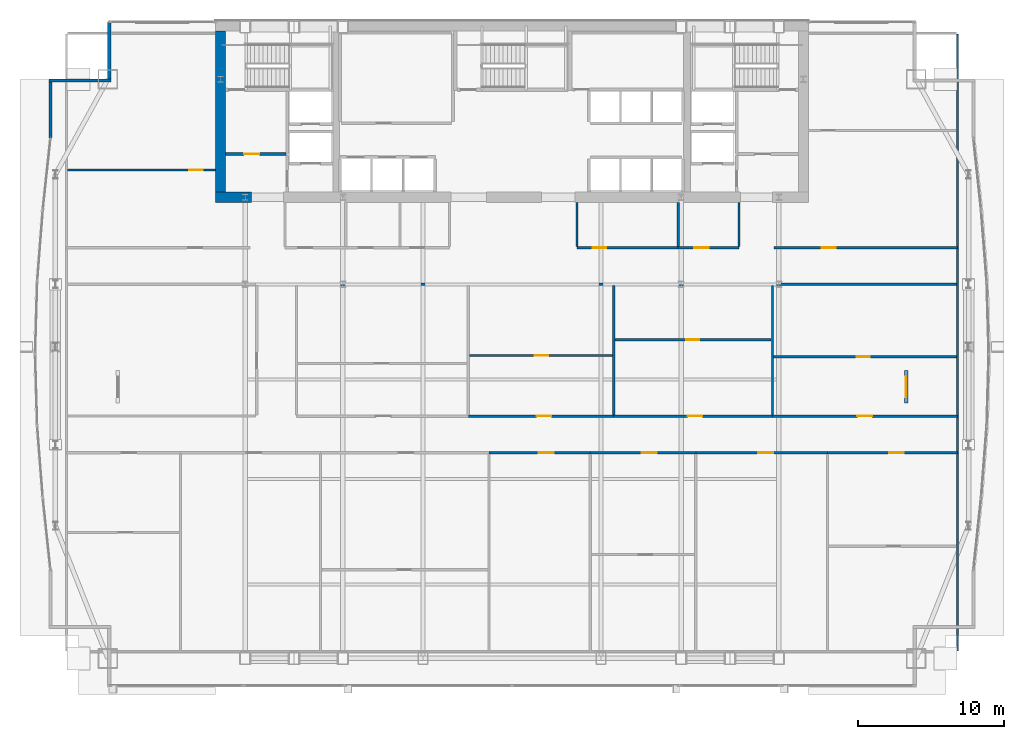
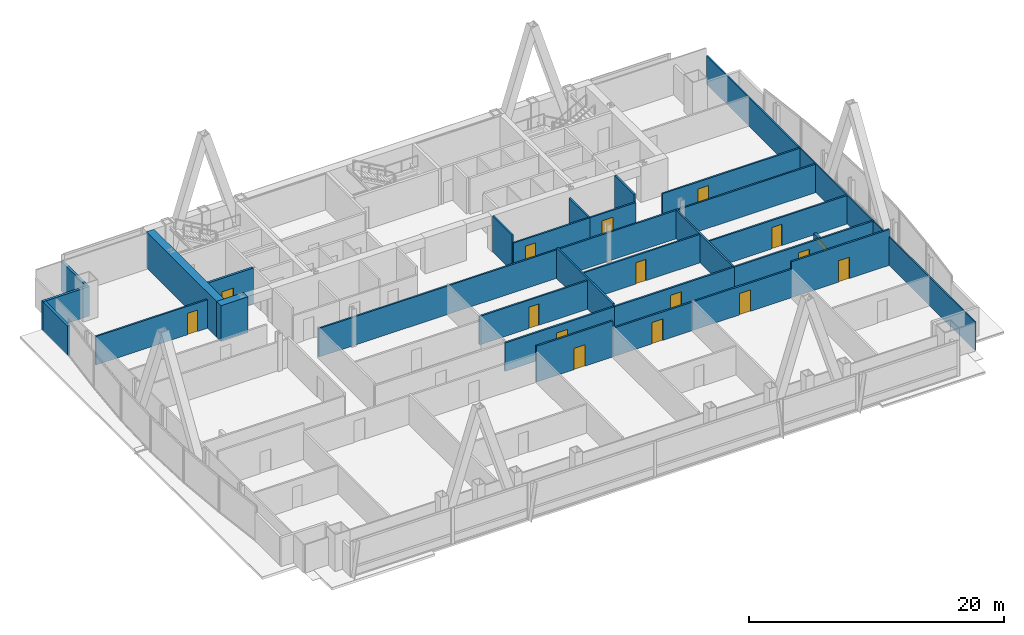
# One storey, part 26 of 30: 28 walls, 15 doors, 1 window, 16 openings.
"""IFC4 building model written with IfcOpenShell, lengths in metres."""

from ifc_helpers import new_model, si_unit, direction, frame, frame_2d, origin, place, context, subcontext, project, spatial, rectangle, extrude, material, layer, layer_set, type_object, element, fill, save


model = new_model("IFC4")

# Units and contexts
model_context = context("Model", 3, precision=1e-05, world=origin(), true_north=direction((0.0, 1.0)))
body_context = subcontext(model_context, "Body", "Model", "MODEL_VIEW")
ifc_project = project(units=[si_unit("LENGTHUNIT", "METRE"), si_unit("AREAUNIT", "SQUARE_METRE"), si_unit("VOLUMEUNIT", "CUBIC_METRE"), si_unit("PLANEANGLEUNIT", "RADIAN"), si_unit("MASSUNIT", "GRAM", prefix="KILO")], contexts=[model_context])

# Site, building, storey
site_placement = place(None, origin())
site = spatial("IfcSite", under=ifc_project, at=site_placement, CompositionType="ELEMENT")
building_placement = place(site_placement, origin())
building = spatial("IfcBuilding", under=site, at=building_placement, Name="Khoronbel Lancet Exchange", CompositionType="ELEMENT")
storey_placement = place(building_placement, frame((0.0, 0.0, 136.199951171875)))
storey = spatial("IfcBuildingStorey", under=building, at=storey_placement, Name="L33", CompositionType="ELEMENT", Elevation=136.199951171875)

# Walls
ifc_material_1 = material(Name="Concrete C80/95", Category="concrete")
ifc_layer_1 = layer(ifc_material_1, 0.699951171875, Name="Concrete C80/95")
ifc_layer_set_1 = layer_set([ifc_layer_1], Name="Concrete C80/95")
wall_type_1 = type_object("IfcWallType", Name="WL-CW2", PredefinedType="SHEAR", material=ifc_layer_set_1)
wall_1_placement = place(storey_placement, frame((16.550048828125, 42.0, 0.0), z_axis=(0.0, 0.0, 1.0), x_axis=(0.0, 1.0, 0.0)))
element("IfcWall", 1, at=wall_1_placement, inside=storey, type_object=wall_type_1, Name="Level L33 rear core west shear wall", PredefinedType="SHEAR", context=body_context, shape_type="SweptSolid", body=[
    extrude(rectangle(XDim=11.0, YDim=0.699951171875, at=frame_2d((5.5, 0.0))), origin(), (0.0, 0.0, 1.0), 3.43994140625),
])
wall_2_placement = place(storey_placement, frame((18.64990234375, 41.64990234375, 0.0), z_axis=(0.0, 0.0, 1.0), x_axis=(-1.0, 0.0, 0.0)))
element("IfcWall", 2, at=wall_2_placement, inside=storey, type_object=wall_type_1, Name="Level L33 rear core south shear wall pier P1", PredefinedType="SHEAR", context=body_context, shape_type="SweptSolid", body=[
    extrude(rectangle(XDim=2.449951171875, YDim=0.699951171875, at=frame_2d((1.22509765625, 0.0))), origin(), (0.0, 0.0, 1.0), 3.43994140625),
])
ifc_material_2 = material(Name="Precast concrete C40/50", Category="concrete")
ifc_layer_2 = layer(ifc_material_2, 0.25, Name="Precast concrete C40/50")
ifc_layer_set_2 = layer_set([ifc_layer_2], Name="Precast concrete C40/50")
wall_type_2 = type_object("IfcWallType", Name="WL-EXT250", PredefinedType="SOLIDWALL", material=ifc_layer_set_2)
wall_3_placement = place(storey_placement, frame((4.93994140625, 45.67529296875, 0.0), z_axis=(0.0, 0.0, 1.0), x_axis=(0.0, 1.0, 0.0)))
element("IfcWall", 3, at=wall_3_placement, inside=storey, type_object=wall_type_2, Name="Level L33 notched-corner limestone pier 10", PredefinedType="SOLIDWALL", context=body_context, shape_type="SweptSolid", body=[
    extrude(rectangle(XDim=3.82470703125, YDim=0.219970703125, at=frame_2d((1.912353515625, 0.0))), origin(), (0.0, 0.0, 1.0), 2.830078125),
])
wall_4_placement = place(storey_placement, frame((4.830078125, 49.610107421875, 0.0), z_axis=(0.0, 0.0, 1.0), x_axis=(1.0, 0.0, 0.0)))
element("IfcWall", 4, at=wall_4_placement, inside=storey, type_object=wall_type_2, Name="Level L33 notched-corner limestone pier 11", PredefinedType="SOLIDWALL", context=body_context, shape_type="SweptSolid", body=[
    extrude(rectangle(XDim=4.219970703125, YDim=0.219970703125, at=frame_2d((2.10986328125, 0.0))), origin(), (0.0, 0.0, 1.0), 2.830078125),
])
wall_5_placement = place(storey_placement, frame((8.93994140625, 49.719970703125, 0.0), z_axis=(0.0, 0.0, 1.0), x_axis=(0.0, 1.0, 0.0)))
element("IfcWall", 5, at=wall_5_placement, inside=storey, type_object=wall_type_2, Name="Level L33 notched-corner limestone pier 12", PredefinedType="SOLIDWALL", context=body_context, shape_type="SweptSolid", body=[
    extrude(rectangle(XDim=3.909912109375, YDim=0.219970703125, at=frame_2d((1.955078125, 0.0))), origin(), (0.0, 0.0, 1.0), 2.830078125),
])

# Wall, opening, window
ifc_material_3 = material(Name="Concrete C40/50", Category="concrete")
ifc_layer_3 = layer(ifc_material_3, 0.25, Name="Concrete C40/50")
ifc_layer_set_3 = layer_set([ifc_layer_3], Name="Concrete C40/50")
wall_type_3 = type_object("IfcWallType", Name="WL-PAR250", PredefinedType="PARAPET", material=ifc_layer_set_3)
wall_6_placement = place(storey_placement, frame((63.375, 27.60009765625, 0.0), z_axis=(0.0, 0.0, 1.0), x_axis=(0.0, 1.0, 0.0)))
wall_6 = element("IfcWall", 6, at=wall_6_placement, inside=storey, type_object=wall_type_3, Name="Level L33 setback roof slab 2 smoke-ventilation skylight lantern curb", PredefinedType="PARAPET", context=body_context, shape_type="SweptSolid", body=[
    extrude(rectangle(XDim=2.199951171875, YDim=0.25, at=frame_2d((1.10009765625, 0.0))), origin(), (0.0, 0.0, 1.0), 0.880126953125),
])
opening_1_placement = place(wall_6_placement, frame((0.39990234375, 0.0, 0.159912109375)))
opening_1 = element("IfcOpeningElement", 7, at=opening_1_placement, cuts=wall_6, Name="Opening SK2", PredefinedType="OPENING", context=body_context, shape_type="SweptSolid", body=[
    extrude(rectangle(XDim=1.39990234375, YDim=0.5, at=frame_2d((0.699951171875, 0.25))), frame((0.0, 0.135009765625, 0.0), z_axis=(0.0, -1.0, 0.0), x_axis=(1.0, 0.0, 0.0)), (0.0, 0.0, 1.0), 0.27001953125),
])
ifc_material_4 = material(Name="Low-E Solar Control Insulating Glass", Category="glass")
window_type = type_object("IfcWindowType", Name="WIN-SK2", PartitioningType="SINGLE_PANEL", PredefinedType="SKYLIGHT", material=ifc_material_4)
window_placement = place(opening_1_placement, origin())
window = element("IfcWindow", 8, at=window_placement, inside=storey, type_object=window_type, Name="Level L33 setback roof slab 2 smoke-ventilation clerestory skylight", OverallHeight=0.5, OverallWidth=1.39990234375, PartitioningType="SINGLE_PANEL", PredefinedType="SKYLIGHT", context=body_context, shape_type="SweptSolid", body=[
    extrude(rectangle(XDim=1.39990234375, YDim=0.5, at=frame_2d((0.699951171875, 0.25))), frame((0.0, 0.030029296875, 0.0), z_axis=(0.0, -1.0, 0.0), x_axis=(1.0, 0.0, 0.0)), (0.0, 0.0, 1.0), 0.06005859375),
])
fill(opening_1, window)

# Walls
ifc_material_5 = material(Name="Acoustic Metal-Stud & Mineral-Wool Gypsum Partition 120 mm", Category="gypsum")
ifc_layer_4 = layer(ifc_material_5, 0.1201171875, Name="Acoustic Metal-Stud & Mineral-Wool Gypsum Partition 120 mm")
ifc_layer_set_4 = layer_set([ifc_layer_4], Name="Acoustic Metal-Stud & Mineral-Wool Gypsum Partition 120 mm")
wall_type_4 = type_object("IfcWallType", Name="WL-PRT120", PredefinedType="PARTITIONING", material=ifc_layer_set_4)
wall_7_placement = place(storey_placement, frame((40.8798828125, 38.280029296875, 0.0), z_axis=(0.0, 0.0, 1.0), x_axis=(0.0, 1.0, 0.0)))
element("IfcWall", 9, at=wall_7_placement, inside=storey, type_object=wall_type_4, Name="Level L33 interior partition PW-NP-0", PredefinedType="PARTITIONING", context=body_context, shape_type="SweptSolid", body=[
    extrude(rectangle(XDim=3.02001953125, YDim=0.14990234375, at=frame_2d((1.510009765625, 0.0))), origin(), (0.0, 0.0, 1.0), 3.43994140625),
])
wall_8_placement = place(storey_placement, frame((47.800048828125, 38.280029296875, 0.0), z_axis=(0.0, 0.0, 1.0), x_axis=(0.0, 1.0, 0.0)))
element("IfcWall", 10, at=wall_8_placement, inside=storey, type_object=wall_type_4, Name="Level L33 interior partition PW-NP-M", PredefinedType="PARTITIONING", context=body_context, shape_type="SweptSolid", body=[
    extrude(rectangle(XDim=3.02001953125, YDim=0.14990234375, at=frame_2d((1.510009765625, 0.0))), origin(), (0.0, 0.0, 1.0), 2.72998046875),
])
wall_9_placement = place(storey_placement, frame((51.949951171875, 38.280029296875, 0.0), z_axis=(0.0, 0.0, 1.0), x_axis=(0.0, 1.0, 0.0)))
element("IfcWall", 11, at=wall_9_placement, inside=storey, type_object=wall_type_4, Name="Level L33 interior partition PW-NP-1", PredefinedType="PARTITIONING", context=body_context, shape_type="SweptSolid", body=[
    extrude(rectangle(XDim=3.02001953125, YDim=0.14990234375, at=frame_2d((1.510009765625, 0.0))), origin(), (0.0, 0.0, 1.0), 3.43994140625),
])

# Wall, opening, door
wall_10_placement = place(storey_placement, frame((6.094970703125, 43.5, 0.0), z_axis=(0.0, 0.0, 1.0), x_axis=(1.0, 0.0, 0.0)))
wall_10 = element("IfcWall", 12, at=wall_10_placement, inside=storey, type_object=wall_type_4, Name="Level L33 interior partition PW-NW-H", PredefinedType="PARTITIONING", context=body_context, shape_type="SweptSolid", body=[
    extrude(rectangle(XDim=10.10498046875, YDim=0.14990234375, at=frame_2d((5.052490234375, 0.0))), origin(), (0.0, 0.0, 1.0), 2.72998046875),
])
opening_2_placement = place(wall_10_placement, frame((8.320068359375, 0.0, 0.0)))
opening_2 = element("IfcOpeningElement", 13, at=opening_2_placement, cuts=wall_10, Name="Opening D5", PredefinedType="OPENING", context=body_context, shape_type="SweptSolid", body=[
    extrude(rectangle(XDim=0.89990234375, YDim=2.050048828125, at=frame_2d((0.449951171875, 1.02490234375))), frame((0.0, 0.0849609375, 0.0), z_axis=(0.0, -1.0, 0.0), x_axis=(1.0, 0.0, 0.0)), (0.0, 0.0, 1.0), 0.169921875),
])
ifc_material_6 = material(Name="Acoustic Timber Pantry & Support Door", Category="wood")
door_type_1 = type_object("IfcDoorType", Name="DR-D5", OperationType="NOTDEFINED", PredefinedType="DOOR", material=ifc_material_6)
door_1_placement = place(opening_2_placement, origin())
door_1 = element("IfcDoor", 14, at=door_1_placement, inside=storey, type_object=door_type_1, Name="NW north room door L33-1", OperationType="SINGLE_SWING_RIGHT", OverallHeight=2.050048828125, OverallWidth=0.89990234375, PredefinedType="DOOR", context=body_context, shape_type="SweptSolid", body=[
    extrude(rectangle(XDim=0.89990234375, YDim=2.050048828125, at=frame_2d((0.449951171875, 1.02490234375))), frame((0.0, 0.02490234375, 0.0), z_axis=(0.0, -1.0, 0.0), x_axis=(1.0, 0.0, 0.0)), (0.0, 0.0, 1.0), 0.050048828125),
])
fill(opening_2, door_1)

wall_11_placement = place(storey_placement, frame((33.54638671875, 30.840087890625, 0.0), z_axis=(0.0, 0.0, 1.0), x_axis=(1.0, 0.0, 0.0)))
wall_11 = element("IfcWall", 15, at=wall_11_placement, inside=storey, type_object=wall_type_4, Name="Level L33 interior partition PW-Z2N-H2", PredefinedType="PARTITIONING", context=body_context, shape_type="SweptSolid", body=[
    extrude(rectangle(XDim=9.770751953125, YDim=0.14990234375, at=frame_2d((4.88525390625, 0.0))), origin(), (0.0, 0.0, 1.0), 2.72998046875),
])
opening_3_placement = place(wall_11_placement, frame((4.468994140625, 0.0, 0.0)))
opening_3 = element("IfcOpeningElement", 16, at=opening_3_placement, cuts=wall_11, Name="Opening D5", PredefinedType="OPENING", context=body_context, shape_type="SweptSolid", body=[
    extrude(rectangle(XDim=0.89990234375, YDim=2.050048828125, at=frame_2d((0.449951171875, 1.02490234375))), frame((0.0, 0.0849609375, 0.0), z_axis=(0.0, -1.0, 0.0), x_axis=(1.0, 0.0, 0.0)), (0.0, 0.0, 1.0), 0.169921875),
])
door_2_placement = place(opening_3_placement, origin())
door_2 = element("IfcDoor", 17, at=door_2_placement, inside=storey, type_object=door_type_1, Name="Z2N inner door 2 L33-1", OperationType="SINGLE_SWING_LEFT", OverallHeight=2.050048828125, OverallWidth=0.89990234375, PredefinedType="DOOR", context=body_context, shape_type="SweptSolid", body=[
    extrude(rectangle(XDim=0.89990234375, YDim=2.050048828125, at=frame_2d((0.449951171875, 1.02490234375))), frame((0.0, 0.02490234375, 0.0), z_axis=(0.0, -1.0, 0.0), x_axis=(1.0, 0.0, 0.0)), (0.0, 0.0, 1.0), 0.050048828125),
])
fill(opening_3, door_2)

wall_12_placement = place(storey_placement, frame((43.477294921875, 31.919921875, 0.0), z_axis=(0.0, 0.0, 1.0), x_axis=(1.0, 0.0, 0.0)))
wall_12 = element("IfcWall", 18, at=wall_12_placement, inside=storey, type_object=wall_type_4, Name="Level L33 interior partition PW-Z2N-H3", PredefinedType="PARTITIONING", context=body_context, shape_type="SweptSolid", body=[
    extrude(rectangle(XDim=10.673583984375, YDim=0.14990234375, at=frame_2d((5.3369140625, 0.0))), origin(), (0.0, 0.0, 1.0), 2.72998046875),
])
opening_4_placement = place(wall_12_placement, frame((4.875, 0.0, 0.0)))
opening_4 = element("IfcOpeningElement", 19, at=opening_4_placement, cuts=wall_12, Name="Opening D5", PredefinedType="OPENING", context=body_context, shape_type="SweptSolid", body=[
    extrude(rectangle(XDim=0.89990234375, YDim=2.050048828125, at=frame_2d((0.449951171875, 1.02490234375))), frame((0.0, 0.0849609375, 0.0), z_axis=(0.0, -1.0, 0.0), x_axis=(1.0, 0.0, 0.0)), (0.0, 0.0, 1.0), 0.169921875),
])
door_3_placement = place(opening_4_placement, origin())
door_3 = element("IfcDoor", 20, at=door_3_placement, inside=storey, type_object=door_type_1, Name="Z2N inner door 3 L33-1", OperationType="SINGLE_SWING_LEFT", OverallHeight=2.050048828125, OverallWidth=0.89990234375, PredefinedType="DOOR", context=body_context, shape_type="SweptSolid", body=[
    extrude(rectangle(XDim=0.89990234375, YDim=2.050048828125, at=frame_2d((0.449951171875, 1.02490234375))), frame((0.0, 0.02490234375, 0.0), z_axis=(0.0, -1.0, 0.0), x_axis=(1.0, 0.0, 0.0)), (0.0, 0.0, 1.0), 0.050048828125),
])
fill(opening_4, door_3)

wall_13_placement = place(storey_placement, frame((54.310791015625, 30.75, 0.0), z_axis=(0.0, 0.0, 1.0), x_axis=(1.0, 0.0, 0.0)))
wall_13 = element("IfcWall", 21, at=wall_13_placement, inside=storey, type_object=wall_type_4, Name="Level L33 interior partition PW-Z2N-H4", PredefinedType="PARTITIONING", context=body_context, shape_type="SweptSolid", body=[
    extrude(rectangle(XDim=12.494140625, YDim=0.14990234375, at=frame_2d((6.2470703125, 0.0))), origin(), (0.0, 0.0, 1.0), 2.72998046875),
])
opening_5_placement = place(wall_13_placement, frame((5.6875, 0.0, 0.0)))
opening_5 = element("IfcOpeningElement", 22, at=opening_5_placement, cuts=wall_13, Name="Opening D5", PredefinedType="OPENING", context=body_context, shape_type="SweptSolid", body=[
    extrude(rectangle(XDim=0.89990234375, YDim=2.050048828125, at=frame_2d((0.449951171875, 1.02490234375))), frame((0.0, 0.0849609375, 0.0), z_axis=(0.0, -1.0, 0.0), x_axis=(1.0, 0.0, 0.0)), (0.0, 0.0, 1.0), 0.169921875),
])
door_4_placement = place(opening_5_placement, origin())
door_4 = element("IfcDoor", 23, at=door_4_placement, inside=storey, type_object=door_type_1, Name="Z2N inner door 4 L33-1", OperationType="SINGLE_SWING_LEFT", OverallHeight=2.050048828125, OverallWidth=0.89990234375, PredefinedType="DOOR", context=body_context, shape_type="SweptSolid", body=[
    extrude(rectangle(XDim=0.89990234375, YDim=2.050048828125, at=frame_2d((0.449951171875, 1.02490234375))), frame((0.0, 0.02490234375, 0.0), z_axis=(0.0, -1.0, 0.0), x_axis=(1.0, 0.0, 0.0)), (0.0, 0.0, 1.0), 0.050048828125),
])
fill(opening_5, door_4)

# Wall
wall_14_placement = place(storey_placement, frame((66.8701171875, 10.6650390625, 0.0), z_axis=(0.0, 0.0, 1.0), x_axis=(0.0, 1.0, 0.0)))
element("IfcWall", 24, at=wall_14_placement, inside=storey, type_object=wall_type_4, Name="Level L33 interior partition PW-LIN-E", PredefinedType="PARTITIONING", context=body_context, shape_type="SweptSolid", body=[
    extrude(rectangle(XDim=42.10986328125, YDim=0.1201171875, at=frame_2d((21.054931640625, 0.0))), origin(), (0.0, 0.0, 1.0), 2.72998046875),
])

# Wall, opening, door
ifc_material_7 = material(Name="Fire-Rated Twin-Stud Acoustic Gypsum Partition 150 mm", Category="gypsum")
ifc_layer_5 = layer(ifc_material_7, 0.14990234375, Name="Fire-Rated Twin-Stud Acoustic Gypsum Partition 150 mm")
ifc_layer_set_5 = layer_set([ifc_layer_5], Name="Fire-Rated Twin-Stud Acoustic Gypsum Partition 150 mm")
wall_type_5 = type_object("IfcWallType", Name="WL-PRT150C", PredefinedType="PARTITIONING", material=ifc_layer_set_5)
wall_15_placement = place(storey_placement, frame((40.8798828125, 38.199951171875, 0.0), z_axis=(0.0, 0.0, 1.0), x_axis=(1.0, 0.0, 0.0)))
wall_15 = element("IfcWall", 25, at=wall_15_placement, inside=storey, type_object=wall_type_5, Name="Level L33 interior partition PW-NP-S1", PredefinedType="PARTITIONING", context=body_context, shape_type="SweptSolid", body=[
    extrude(rectangle(XDim=6.920166015625, YDim=0.14990234375, at=frame_2d((3.4599609375, 0.0))), origin(), (0.0, 0.0, 1.0), 2.72998046875),
])
opening_6_placement = place(wall_15_placement, frame((1.10009765625, 0.0, 0.0)))
opening_6 = element("IfcOpeningElement", 26, at=opening_6_placement, cuts=wall_15, Name="Opening D5", PredefinedType="OPENING", context=body_context, shape_type="SweptSolid", body=[
    extrude(rectangle(XDim=0.89990234375, YDim=2.050048828125, at=frame_2d((0.449951171875, 1.02490234375))), frame((0.0, 0.0849609375, 0.0), z_axis=(0.0, -1.0, 0.0), x_axis=(1.0, 0.0, 0.0)), (0.0, 0.0, 1.0), 0.169921875),
])
door_5_placement = place(opening_6_placement, origin())
door_5 = element("IfcDoor", 27, at=door_5_placement, inside=storey, type_object=door_type_1, Name="Floor refreshment pantry door L33-1", OperationType="SINGLE_SWING_RIGHT", OverallHeight=2.050048828125, OverallWidth=0.89990234375, PredefinedType="DOOR", context=body_context, shape_type="SweptSolid", body=[
    extrude(rectangle(XDim=0.89990234375, YDim=2.050048828125, at=frame_2d((0.449951171875, 1.02490234375))), frame((0.0, 0.02490234375, 0.0), z_axis=(0.0, -1.0, 0.0), x_axis=(1.0, 0.0, 0.0)), (0.0, 0.0, 1.0), 0.050048828125),
])
fill(opening_6, door_5)

wall_16_placement = place(storey_placement, frame((47.800048828125, 38.199951171875, 0.0), z_axis=(0.0, 0.0, 1.0), x_axis=(1.0, 0.0, 0.0)))
wall_16 = element("IfcWall", 28, at=wall_16_placement, inside=storey, type_object=wall_type_5, Name="Level L33 interior partition PW-NP-S2", PredefinedType="PARTITIONING", context=body_context, shape_type="SweptSolid", body=[
    extrude(rectangle(XDim=4.14990234375, YDim=0.14990234375, at=frame_2d((2.074951171875, 0.0))), origin(), (0.0, 0.0, 1.0), 2.72998046875),
])
opening_7_placement = place(wall_16_placement, frame((1.10009765625, 0.0, 0.0)))
opening_7 = element("IfcOpeningElement", 29, at=opening_7_placement, cuts=wall_16, Name="Opening D2", PredefinedType="OPENING", context=body_context, shape_type="SweptSolid", body=[
    extrude(rectangle(XDim=1.0, YDim=2.050048828125, at=frame_2d((0.5, 1.02490234375))), frame((0.0, 0.0849609375, 0.0), z_axis=(0.0, -1.0, 0.0), x_axis=(1.0, 0.0, 0.0)), (0.0, 0.0, 1.0), 0.169921875),
])
ifc_material_8 = material(Name="Acoustic Veneered Timber & Bronze Frame Door", Category="wood")
door_type_2 = type_object("IfcDoorType", Name="DR-D2", OperationType="NOTDEFINED", PredefinedType="DOOR", material=ifc_material_8)
door_6_placement = place(opening_7_placement, origin())
door_6 = element("IfcDoor", 30, at=door_6_placement, inside=storey, type_object=door_type_2, Name="Floor store door L33-1", OperationType="SINGLE_SWING_LEFT", OverallHeight=2.050048828125, OverallWidth=1.0, PredefinedType="DOOR", context=body_context, shape_type="SweptSolid", body=[
    extrude(rectangle(XDim=1.0, YDim=2.050048828125, at=frame_2d((0.5, 1.02490234375))), frame((0.0, 0.02490234375, 0.0), z_axis=(0.0, -1.0, 0.0), x_axis=(1.0, 0.0, 0.0)), (0.0, 0.0, 1.0), 0.050048828125),
])
fill(opening_7, door_6)

wall_17_placement = place(storey_placement, frame((54.35009765625, 38.199951171875, 0.0), z_axis=(0.0, 0.0, 1.0), x_axis=(1.0, 0.0, 0.0)))
wall_17 = element("IfcWall", 31, at=wall_17_placement, inside=storey, type_object=wall_type_5, Name="Level L33 interior partition PW-NE-S", PredefinedType="PARTITIONING", context=body_context, shape_type="SweptSolid", body=[
    extrude(rectangle(XDim=12.52001953125, YDim=0.14990234375, at=frame_2d((6.260009765625, 0.0))), origin(), (0.0, 0.0, 1.0), 2.72998046875),
])
opening_8_placement = place(wall_17_placement, frame((3.25, 0.0, 0.0)))
opening_8 = element("IfcOpeningElement", 32, at=opening_8_placement, cuts=wall_17, Name="Opening D1", PredefinedType="OPENING", context=body_context, shape_type="SweptSolid", body=[
    extrude(rectangle(XDim=0.949951171875, YDim=2.050048828125, at=frame_2d((0.47509765625, 1.02490234375))), frame((0.0, 0.0849609375, 0.0), z_axis=(0.0, -1.0, 0.0), x_axis=(1.0, 0.0, 0.0)), (0.0, 0.0, 1.0), 0.169921875),
])
door_type_3 = type_object("IfcDoorType", Name="DR-D1", OperationType="NOTDEFINED", PredefinedType="DOOR", material=ifc_material_8)
door_7_placement = place(opening_8_placement, origin())
door_7 = element("IfcDoor", 33, at=door_7_placement, inside=storey, type_object=door_type_3, Name="NE corner room door L33-1", OperationType="SINGLE_SWING_LEFT", OverallHeight=2.050048828125, OverallWidth=0.949951171875, PredefinedType="DOOR", context=body_context, shape_type="SweptSolid", body=[
    extrude(rectangle(XDim=0.949951171875, YDim=2.050048828125, at=frame_2d((0.47509765625, 1.02490234375))), frame((0.0, 0.02490234375, 0.0), z_axis=(0.0, -1.0, 0.0), x_axis=(1.0, 0.0, 0.0)), (0.0, 0.0, 1.0), 0.050048828125),
])
fill(opening_8, door_7)

# Walls
wall_18_placement = place(storey_placement, frame((21.81005859375, 35.699951171875, 0.0), z_axis=(0.0, 0.0, 1.0), x_axis=(1.0, 0.0, 0.0)))
element("IfcWall", 34, at=wall_18_placement, inside=storey, type_object=wall_type_5, Name="Level L33 interior partition PW-Z2-EN", PredefinedType="PARTITIONING", context=body_context, shape_type="SweptSolid", body=[
    extrude(rectangle(XDim=44.994873046875, YDim=0.14990234375, at=frame_2d((22.49755859375, 0.0))), origin(), (0.0, 0.0, 1.0), 2.72998046875),
])
wall_19_placement = place(storey_placement, frame((43.397216796875, 26.784912109375, 0.0), z_axis=(0.0, 0.0, 1.0), x_axis=(0.0, 1.0, 0.0)))
element("IfcWall", 35, at=wall_19_placement, inside=storey, type_object=wall_type_5, Name="Level L33 interior partition PW-Z2N-V2", PredefinedType="PARTITIONING", context=body_context, shape_type="SweptSolid", body=[
    extrude(rectangle(XDim=8.835205078125, YDim=0.14990234375, at=frame_2d((4.41748046875, 0.0))), origin(), (0.0, 0.0, 1.0), 2.929931640625),
])
wall_20_placement = place(storey_placement, frame((54.230712890625, 26.784912109375, 0.0), z_axis=(0.0, 0.0, 1.0), x_axis=(0.0, 1.0, 0.0)))
element("IfcWall", 36, at=wall_20_placement, inside=storey, type_object=wall_type_5, Name="Level L33 interior partition PW-Z2N-V3", PredefinedType="PARTITIONING", context=body_context, shape_type="SweptSolid", body=[
    extrude(rectangle(XDim=8.835205078125, YDim=0.14990234375, at=frame_2d((4.41748046875, 0.0))), origin(), (0.0, 0.0, 1.0), 2.72998046875),
])

# Wall, opening, door
ifc_material_9 = material(Name="Fire-Rated Twin-Stud Acoustic Gypsum Partition 160 mm", Category="gypsum")
ifc_layer_6 = layer(ifc_material_9, 0.159912109375, Name="Fire-Rated Twin-Stud Acoustic Gypsum Partition 160 mm")
ifc_layer_set_6 = layer_set([ifc_layer_6], Name="Fire-Rated Twin-Stud Acoustic Gypsum Partition 160 mm")
wall_type_6 = type_object("IfcWallType", Name="WL-PRT160C", PredefinedType="PARTITIONING", material=ifc_layer_set_6)
wall_21_placement = place(storey_placement, frame((34.88623046875, 24.199951171875, 0.0), z_axis=(0.0, 0.0, 1.0), x_axis=(1.0, 0.0, 0.0)))
wall_21 = element("IfcWall", 37, at=wall_21_placement, inside=storey, type_object=wall_type_6, Name="Level L33 interior partition PW-Z2S-COR4", PredefinedType="PARTITIONING", context=body_context, shape_type="SweptSolid", body=[
    extrude(rectangle(XDim=6.90234375, YDim=0.159912109375, at=frame_2d((3.451171875, 0.0))), origin(), (0.0, 0.0, 1.0), 3.43994140625),
])
opening_9_placement = place(wall_21_placement, frame((3.39892578125, 0.0, 0.0)))
opening_9 = element("IfcOpeningElement", 38, at=opening_9_placement, cuts=wall_21, Name="Opening D2", PredefinedType="OPENING", context=body_context, shape_type="SweptSolid", body=[
    extrude(rectangle(XDim=1.0, YDim=2.050048828125, at=frame_2d((0.5, 1.02490234375))), frame((0.0, 0.08984375, 0.0), z_axis=(0.0, -1.0, 0.0), x_axis=(1.0, 0.0, 0.0)), (0.0, 0.0, 1.0), 0.179931640625),
])
door_8_placement = place(opening_9_placement, origin())
door_8 = element("IfcDoor", 39, at=door_8_placement, inside=storey, type_object=door_type_2, Name="Z2S bay 4 door L33-1", OperationType="SINGLE_SWING_LEFT", OverallHeight=2.050048828125, OverallWidth=1.0, PredefinedType="DOOR", context=body_context, shape_type="SweptSolid", body=[
    extrude(rectangle(XDim=1.0, YDim=2.050048828125, at=frame_2d((0.5, 1.02490234375))), frame((0.0, 0.02490234375, 0.0), z_axis=(0.0, -1.0, 0.0), x_axis=(1.0, 0.0, 0.0)), (0.0, 0.0, 1.0), 0.050048828125),
])
fill(opening_9, door_8)

wall_22_placement = place(storey_placement, frame((41.78857421875, 24.199951171875, 0.0), z_axis=(0.0, 0.0, 1.0), x_axis=(1.0, 0.0, 0.0)))
wall_22 = element("IfcWall", 40, at=wall_22_placement, inside=storey, type_object=wall_type_6, Name="Level L33 interior partition PW-Z2S-COR5", PredefinedType="PARTITIONING", context=body_context, shape_type="SweptSolid", body=[
    extrude(rectangle(XDim=7.214111328125, YDim=0.159912109375, at=frame_2d((3.60693359375, 0.0))), origin(), (0.0, 0.0, 1.0), 2.72998046875),
])
opening_10_placement = place(wall_22_placement, frame((3.52978515625, 0.0, 0.0)))
opening_10 = element("IfcOpeningElement", 41, at=opening_10_placement, cuts=wall_22, Name="Opening D2", PredefinedType="OPENING", context=body_context, shape_type="SweptSolid", body=[
    extrude(rectangle(XDim=1.0, YDim=2.050048828125, at=frame_2d((0.5, 1.02490234375))), frame((0.0, 0.08984375, 0.0), z_axis=(0.0, -1.0, 0.0), x_axis=(1.0, 0.0, 0.0)), (0.0, 0.0, 1.0), 0.179931640625),
])
door_9_placement = place(opening_10_placement, origin())
door_9 = element("IfcDoor", 42, at=door_9_placement, inside=storey, type_object=door_type_2, Name="Z2S bay 5 door L33-1", OperationType="SINGLE_SWING_RIGHT", OverallHeight=2.050048828125, OverallWidth=1.0, PredefinedType="DOOR", context=body_context, shape_type="SweptSolid", body=[
    extrude(rectangle(XDim=1.0, YDim=2.050048828125, at=frame_2d((0.5, 1.02490234375))), frame((0.0, 0.02490234375, 0.0), z_axis=(0.0, -1.0, 0.0), x_axis=(1.0, 0.0, 0.0)), (0.0, 0.0, 1.0), 0.050048828125),
])
fill(opening_10, door_9)

wall_23_placement = place(storey_placement, frame((49.002685546875, 24.199951171875, 0.0), z_axis=(0.0, 0.0, 1.0), x_axis=(1.0, 0.0, 0.0)))
wall_23 = element("IfcWall", 43, at=wall_23_placement, inside=storey, type_object=wall_type_6, Name="Level L33 interior partition PW-Z2S-COR6", PredefinedType="PARTITIONING", context=body_context, shape_type="SweptSolid", body=[
    extrude(rectangle(XDim=8.987548828125, YDim=0.159912109375, at=frame_2d((4.49365234375, 0.0))), origin(), (0.0, 0.0, 1.0), 2.72998046875),
])
opening_11_placement = place(wall_23_placement, frame((4.27490234375, 0.0, 0.0)))
opening_11 = element("IfcOpeningElement", 44, at=opening_11_placement, cuts=wall_23, Name="Opening D2", PredefinedType="OPENING", context=body_context, shape_type="SweptSolid", body=[
    extrude(rectangle(XDim=1.0, YDim=2.050048828125, at=frame_2d((0.5, 1.02490234375))), frame((0.0, 0.08984375, 0.0), z_axis=(0.0, -1.0, 0.0), x_axis=(1.0, 0.0, 0.0)), (0.0, 0.0, 1.0), 0.179931640625),
])
door_10_placement = place(opening_11_placement, origin())
door_10 = element("IfcDoor", 45, at=door_10_placement, inside=storey, type_object=door_type_2, Name="Z2S bay 6 door L33-1", OperationType="SINGLE_SWING_RIGHT", OverallHeight=2.050048828125, OverallWidth=1.0, PredefinedType="DOOR", context=body_context, shape_type="SweptSolid", body=[
    extrude(rectangle(XDim=1.0, YDim=2.050048828125, at=frame_2d((0.5, 1.02490234375))), frame((0.0, 0.02490234375, 0.0), z_axis=(0.0, -1.0, 0.0), x_axis=(1.0, 0.0, 0.0)), (0.0, 0.0, 1.0), 0.050048828125),
])
fill(opening_11, door_10)

wall_24_placement = place(storey_placement, frame((57.990234375, 24.199951171875, 0.0), z_axis=(0.0, 0.0, 1.0), x_axis=(1.0, 0.0, 0.0)))
wall_24 = element("IfcWall", 46, at=wall_24_placement, inside=storey, type_object=wall_type_6, Name="Level L33 interior partition PW-Z2S-COR7", PredefinedType="PARTITIONING", context=body_context, shape_type="SweptSolid", body=[
    extrude(rectangle(XDim=8.8798828125, YDim=0.159912109375, at=frame_2d((4.43994140625, 0.0))), origin(), (0.0, 0.0, 1.0), 3.43994140625),
])
opening_12_placement = place(wall_24_placement, frame((4.2294921875, 0.0, 0.0)))
opening_12 = element("IfcOpeningElement", 47, at=opening_12_placement, cuts=wall_24, Name="Opening D2", PredefinedType="OPENING", context=body_context, shape_type="SweptSolid", body=[
    extrude(rectangle(XDim=1.0, YDim=2.050048828125, at=frame_2d((0.5, 1.02490234375))), frame((0.0, 0.08984375, 0.0), z_axis=(0.0, -1.0, 0.0), x_axis=(1.0, 0.0, 0.0)), (0.0, 0.0, 1.0), 0.179931640625),
])
door_11_placement = place(opening_12_placement, origin())
door_11 = element("IfcDoor", 48, at=door_11_placement, inside=storey, type_object=door_type_2, Name="Z2S bay 7 door L33-1", OperationType="SINGLE_SWING_LEFT", OverallHeight=2.050048828125, OverallWidth=1.0, PredefinedType="DOOR", context=body_context, shape_type="SweptSolid", body=[
    extrude(rectangle(XDim=1.0, YDim=2.050048828125, at=frame_2d((0.5, 1.02490234375))), frame((0.0, 0.02490234375, 0.0), z_axis=(0.0, -1.0, 0.0), x_axis=(1.0, 0.0, 0.0)), (0.0, 0.0, 1.0), 0.050048828125),
])
fill(opening_12, door_11)

wall_25_placement = place(storey_placement, frame((33.46630859375, 26.699951171875, 0.0), z_axis=(0.0, 0.0, 1.0), x_axis=(1.0, 0.0, 0.0)))
wall_25 = element("IfcWall", 49, at=wall_25_placement, inside=storey, type_object=wall_type_6, Name="Level L33 interior partition PW-Z2N-COR2", PredefinedType="PARTITIONING", context=body_context, shape_type="SweptSolid", body=[
    extrude(rectangle(XDim=9.930908203125, YDim=0.159912109375, at=frame_2d((4.96533203125, 0.0))), origin(), (0.0, 0.0, 1.0), 2.72998046875),
])
opening_13_placement = place(wall_25_placement, frame((4.6708984375, 0.0, 0.0)))
opening_13 = element("IfcOpeningElement", 50, at=opening_13_placement, cuts=wall_25, Name="Opening D2", PredefinedType="OPENING", context=body_context, shape_type="SweptSolid", body=[
    extrude(rectangle(XDim=1.0, YDim=2.050048828125, at=frame_2d((0.5, 1.02490234375))), frame((0.0, 0.08984375, 0.0), z_axis=(0.0, -1.0, 0.0), x_axis=(1.0, 0.0, 0.0)), (0.0, 0.0, 1.0), 0.179931640625),
])
door_12_placement = place(opening_13_placement, origin())
door_12 = element("IfcDoor", 51, at=door_12_placement, inside=storey, type_object=door_type_2, Name="Z2N bay 2 door L33-1", OperationType="SINGLE_SWING_RIGHT", OverallHeight=2.050048828125, OverallWidth=1.0, PredefinedType="DOOR", context=body_context, shape_type="SweptSolid", body=[
    extrude(rectangle(XDim=1.0, YDim=2.050048828125, at=frame_2d((0.5, 1.02490234375))), frame((0.0, 0.02490234375, 0.0), z_axis=(0.0, -1.0, 0.0), x_axis=(1.0, 0.0, 0.0)), (0.0, 0.0, 1.0), 0.050048828125),
])
fill(opening_13, door_12)

wall_26_placement = place(storey_placement, frame((43.397216796875, 26.699951171875, 0.0), z_axis=(0.0, 0.0, 1.0), x_axis=(1.0, 0.0, 0.0)))
wall_26 = element("IfcWall", 52, at=wall_26_placement, inside=storey, type_object=wall_type_6, Name="Level L33 interior partition PW-Z2N-COR3", PredefinedType="PARTITIONING", context=body_context, shape_type="SweptSolid", body=[
    extrude(rectangle(XDim=10.83349609375, YDim=0.159912109375, at=frame_2d((5.416748046875, 0.0))), origin(), (0.0, 0.0, 1.0), 2.72998046875),
])
opening_14_placement = place(wall_26_placement, frame((5.050048828125, 0.0, 0.0)))
opening_14 = element("IfcOpeningElement", 53, at=opening_14_placement, cuts=wall_26, Name="Opening D2", PredefinedType="OPENING", context=body_context, shape_type="SweptSolid", body=[
    extrude(rectangle(XDim=1.0, YDim=2.050048828125, at=frame_2d((0.5, 1.02490234375))), frame((0.0, 0.08984375, 0.0), z_axis=(0.0, -1.0, 0.0), x_axis=(1.0, 0.0, 0.0)), (0.0, 0.0, 1.0), 0.179931640625),
])
door_13_placement = place(opening_14_placement, origin())
door_13 = element("IfcDoor", 54, at=door_13_placement, inside=storey, type_object=door_type_2, Name="Z2N bay 3 door L33-1", OperationType="SINGLE_SWING_RIGHT", OverallHeight=2.050048828125, OverallWidth=1.0, PredefinedType="DOOR", context=body_context, shape_type="SweptSolid", body=[
    extrude(rectangle(XDim=1.0, YDim=2.050048828125, at=frame_2d((0.5, 1.02490234375))), frame((0.0, 0.02490234375, 0.0), z_axis=(0.0, -1.0, 0.0), x_axis=(1.0, 0.0, 0.0)), (0.0, 0.0, 1.0), 0.050048828125),
])
fill(opening_14, door_13)

wall_27_placement = place(storey_placement, frame((54.230712890625, 26.699951171875, 0.0), z_axis=(0.0, 0.0, 1.0), x_axis=(1.0, 0.0, 0.0)))
wall_27 = element("IfcWall", 55, at=wall_27_placement, inside=storey, type_object=wall_type_6, Name="Level L33 interior partition PW-Z2N-COR4", PredefinedType="PARTITIONING", context=body_context, shape_type="SweptSolid", body=[
    extrude(rectangle(XDim=12.639404296875, YDim=0.159912109375, at=frame_2d((6.31982421875, 0.0))), origin(), (0.0, 0.0, 1.0), 2.72998046875),
])
opening_15_placement = place(wall_27_placement, frame((5.80859375, 0.0, 0.0)))
opening_15 = element("IfcOpeningElement", 56, at=opening_15_placement, cuts=wall_27, Name="Opening D2", PredefinedType="OPENING", context=body_context, shape_type="SweptSolid", body=[
    extrude(rectangle(XDim=1.0, YDim=2.050048828125, at=frame_2d((0.5, 1.02490234375))), frame((0.0, 0.08984375, 0.0), z_axis=(0.0, -1.0, 0.0), x_axis=(1.0, 0.0, 0.0)), (0.0, 0.0, 1.0), 0.179931640625),
])
door_14_placement = place(opening_15_placement, origin())
door_14 = element("IfcDoor", 57, at=door_14_placement, inside=storey, type_object=door_type_2, Name="Z2N bay 4 door L33-1", OperationType="SINGLE_SWING_RIGHT", OverallHeight=2.050048828125, OverallWidth=1.0, PredefinedType="DOOR", context=body_context, shape_type="SweptSolid", body=[
    extrude(rectangle(XDim=1.0, YDim=2.050048828125, at=frame_2d((0.5, 1.02490234375))), frame((0.0, 0.02490234375, 0.0), z_axis=(0.0, -1.0, 0.0), x_axis=(1.0, 0.0, 0.0)), (0.0, 0.0, 1.0), 0.050048828125),
])
fill(opening_15, door_14)

ifc_material_10 = material(Name="Autoclaved Aerated Concrete Blockwork 200 mm", Category="masonry")
ifc_layer_7 = layer(ifc_material_10, 0.199951171875, Name="Autoclaved Aerated Concrete Blockwork 200 mm")
ifc_layer_set_7 = layer_set([ifc_layer_7], Name="Autoclaved Aerated Concrete Blockwork 200 mm")
wall_type_7 = type_object("IfcWallType", Name="WL-PRT200", PredefinedType="PARTITIONING", material=ifc_layer_set_7)
wall_28_placement = place(storey_placement, frame((16.89990234375, 44.60009765625, 0.0), z_axis=(0.0, 0.0, 1.0), x_axis=(1.0, 0.0, 0.0)))
wall_28 = element("IfcWall", 58, at=wall_28_placement, inside=storey, type_object=wall_type_7, Name="Level L33 interior partition CW-FFLW-S", PredefinedType="PARTITIONING", context=body_context, shape_type="SweptSolid", body=[
    extrude(rectangle(XDim=4.10009765625, YDim=0.199951171875, at=frame_2d((2.050048828125, 0.0))), origin(), (0.0, 0.0, 1.0), 3.43994140625),
])
opening_16_placement = place(wall_28_placement, frame((1.25, 0.0, 0.0)))
opening_16 = element("IfcOpeningElement", 59, at=opening_16_placement, cuts=wall_28, Name="Opening FD1", PredefinedType="OPENING", context=body_context, shape_type="SweptSolid", body=[
    extrude(rectangle(XDim=1.050048828125, YDim=2.14990234375, at=frame_2d((0.52490234375, 1.074951171875))), frame((0.0, 0.10986328125, 0.0), z_axis=(0.0, -1.0, 0.0), x_axis=(1.0, 0.0, 0.0)), (0.0, 0.0, 1.0), 0.219970703125),
])
ifc_material_11 = material(Name="Fire-Rated Painted Steel Door Assembly", Category="steel")
door_type_4 = type_object("IfcDoorType", Name="DR-FD1", OperationType="NOTDEFINED", PredefinedType="DOOR", material=ifc_material_11)
door_15_placement = place(opening_16_placement, origin())
door_15 = element("IfcDoor", 60, at=door_15_placement, inside=storey, type_object=door_type_4, Name="West firefighting lobby FD90S door L33-1", OperationType="SINGLE_SWING_LEFT", OverallHeight=2.14990234375, OverallWidth=1.050048828125, PredefinedType="DOOR", context=body_context, shape_type="SweptSolid", body=[
    extrude(rectangle(XDim=1.050048828125, YDim=2.14990234375, at=frame_2d((0.52490234375, 1.074951171875))), frame((0.0, 0.02490234375, 0.0), z_axis=(0.0, -1.0, 0.0), x_axis=(1.0, 0.0, 0.0)), (0.0, 0.0, 1.0), 0.050048828125),
])
fill(opening_16, door_15)

save(model, "model.ifc")
